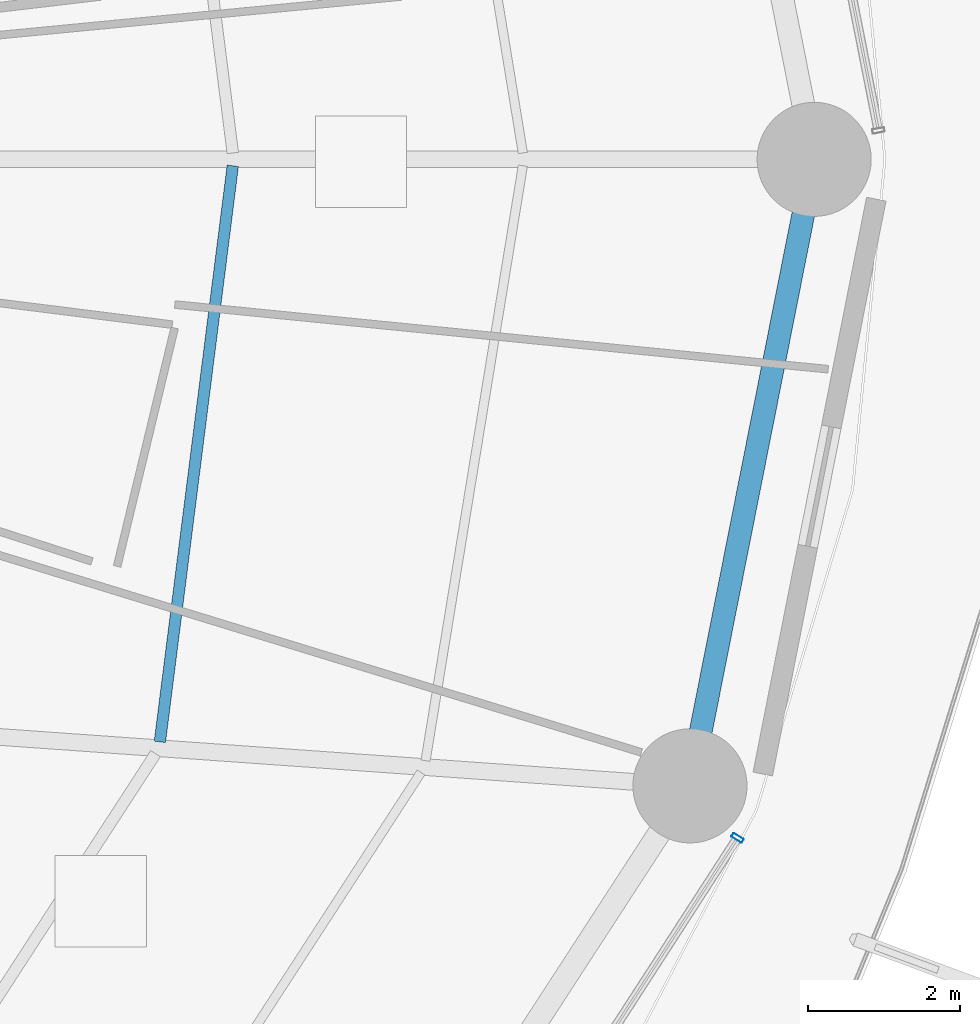
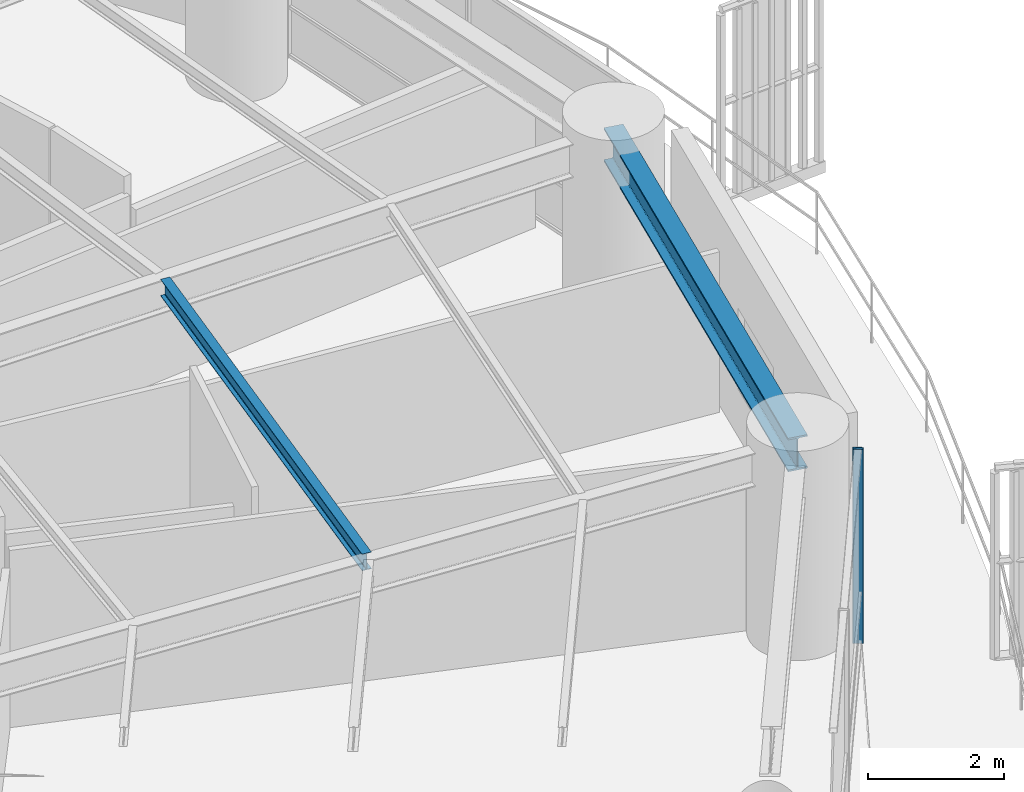
# One storey, part 12 of 32: 2 beams, 1 member, 1 element without a shape of its own.
"""IFC4 building model written with IfcOpenShell, lengths in metres."""

from ifc_helpers import new_model, si_unit, direction, frame, origin, origin_2d, place, context, subcontext, project, spatial, hollow_rectangle, i_section, extrude, material, layer, layer_set, material_profile, profile_set, type_object, element, aggregate, save


model = new_model("IFC4")

# Units and contexts
model_context = context("Model", 3, precision=1e-05, world=origin(), true_north=direction((0.0, 1.0)))
body_context = subcontext(model_context, "Body", "Model", "MODEL_VIEW")
ifc_project = project(units=[si_unit("LENGTHUNIT", "METRE"), si_unit("AREAUNIT", "SQUARE_METRE"), si_unit("VOLUMEUNIT", "CUBIC_METRE"), si_unit("PLANEANGLEUNIT", "RADIAN"), si_unit("MASSUNIT", "GRAM", prefix="KILO")], contexts=[model_context])

# Site, building, storey
site_placement = place(None, origin())
site = spatial("IfcSite", under=ifc_project, at=site_placement, CompositionType="ELEMENT")
building_placement = place(site_placement, origin())
building = spatial("IfcBuilding", under=site, at=building_placement, Name="Kelanora Arch Commons", CompositionType="ELEMENT")
storey_placement = place(building_placement, frame((0.0, 0.0, 52.5)))
storey = spatial("IfcBuildingStorey", under=building, at=storey_placement, Name="L13", CompositionType="ELEMENT", Elevation=52.5)

# Beams
ifc_material_1 = material(Name="Steel S355", Category="steel")
ifc_material_profile_1 = material_profile(ifc_material_1, i_section(OverallWidth=0.14990234375, OverallDepth=0.300048828125, WebThickness=0.007080078125, FlangeThickness=0.0107421875, FilletRadius=0.014892578125, at=origin_2d()), Name="IPE300")
ifc_profile_set_1 = profile_set([ifc_material_profile_1], Name="Steel S355")
beam_type_1 = type_object("IfcBeamType", Name="BM-JST-01", PredefinedType="JOIST", material=ifc_profile_set_1)
beam_1_placement = place(storey_placement, frame((92.478759765625, 50.3427734375, 3.340087890625), z_axis=(0.125565841651, 0.992085288375, 0.0), x_axis=(-0.992085288375, 0.125565841651, 0.0)))
element("IfcBeam", 1, at=beam_1_placement, inside=storey, type_object=beam_type_1, Name="Secondary Chord Joist BJB-34 L13", PredefinedType="JOIST", context=body_context, shape_type="SweptSolid", body=[
    extrude(i_section(OverallWidth=0.14990234375, OverallDepth=0.300048828125, WebThickness=0.007080078125, FlangeThickness=0.0107421875, FilletRadius=0.014892578125, at=origin_2d()), origin(), (0.0, 0.0, 1.0), 7.63330078125),
])
ifc_material_profile_2 = material_profile(ifc_material_1, i_section(OverallWidth=0.300048828125, OverallDepth=0.60009765625, WebThickness=0.015380859375, FlangeThickness=0.030029296875, FilletRadius=0.027099609375, at=origin_2d()), Name="HEB600")
ifc_profile_set_2 = profile_set([ifc_material_profile_2], Name="Steel S355")
beam_type_2 = type_object("IfcBeamType", Name="BM-SPN-Z1", PredefinedType="SPANDREL", material=ifc_profile_set_2)
beam_2_placement = place(storey_placement, frame((99.447021484375, 49.76416015625, 3.18994140625), z_axis=(0.194499827256, 0.980902552345, 0.0), x_axis=(-0.980902552345, 0.194499827256, 0.0)))
element("IfcBeam", 2, at=beam_2_placement, inside=storey, type_object=beam_type_2, Name="Perimeter Spandrel Beam BS-34 L13", PredefinedType="SPANDREL", context=body_context, shape_type="SweptSolid", body=[
    extrude(i_section(OverallWidth=0.300048828125, OverallDepth=0.60009765625, WebThickness=0.015380859375, FlangeThickness=0.030029296875, FilletRadius=0.027099609375, at=origin_2d()), origin(), (0.0, 0.0, 1.0), 8.396240234375),
])

# Curtain wall, member
ifc_material_2 = material(Name="Terracotta ceramic-fritted low-E glass and aluminium", Category="masonry")
ifc_layer = layer(ifc_material_2, 0.159912109375)
ifc_layer_set = layer_set([ifc_layer], Name="Terracotta ceramic-fritted low-E glass and aluminium")
curtain_wall_type = type_object("IfcCurtainWallType", Name="CW-SYS-01", PredefinedType="NOTDEFINED", material=ifc_layer_set)
curtain_wall_placement = place(storey_placement, origin())
curtain_wall = element("IfcCurtainWall", 3, at=curtain_wall_placement, inside=storey, type_object=curtain_wall_type, Name="Unitised Curtain Wall L13-B16", PredefinedType="NOTDEFINED")
ifc_material_3 = material(Name="Powder-coated aluminium terracotta", Category="masonry")
ifc_material_profile_3 = material_profile(ifc_material_3, hollow_rectangle(XDim=0.159912109375, YDim=0.06005859375, WallThickness=0.0048828125, InnerFilletRadius=0.0048828125, OuterFilletRadius=0.010009765625, at=origin_2d()), Name="CWM160x60")
ifc_profile_set_3 = profile_set([ifc_material_profile_3], Name="Powder-coated aluminium terracotta")
member_type = type_object("IfcMemberType", Name="CWM-STD", PredefinedType="MULLION", material=ifc_profile_set_3)
member_placement = place(storey_placement, frame((100.072265625, 49.07958984375, 0.0), z_axis=(0.0, 0.0, 1.0), x_axis=(-0.83972982332, 0.543004441812, 0.0)))
member = element("IfcMember", 4, at=member_placement, type_object=member_type, Name="CW-01 mullion 3", PredefinedType="MULLION", context=body_context, shape_type="SweptSolid", body=[
    extrude(hollow_rectangle(XDim=0.159912109375, YDim=0.06005859375, WallThickness=0.0048828125, InnerFilletRadius=0.0048828125, OuterFilletRadius=0.010009765625, at=origin_2d()), origin(), (0.0, 0.0, 1.0), 3.47509765625),
])
aggregate(curtain_wall, [member])

save(model, "model.ifc")
